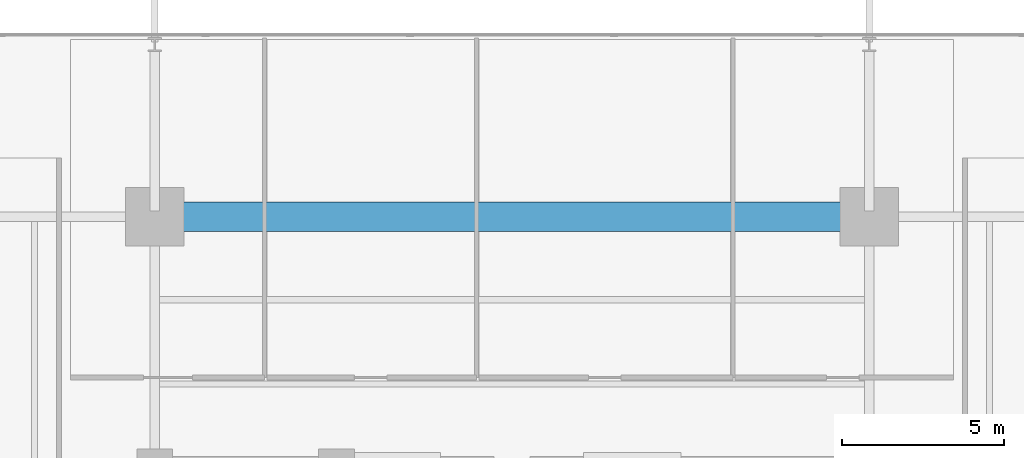
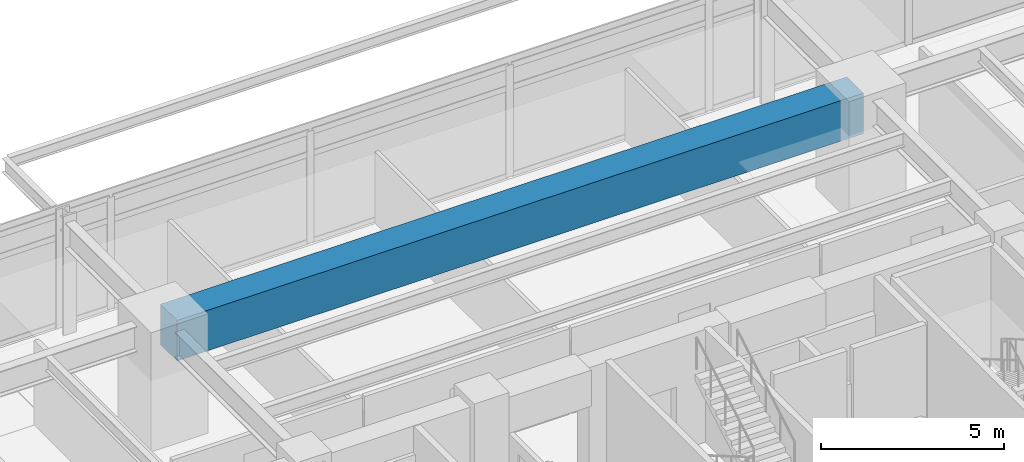
# One storey, part 8 of 22: 1 beam.
"""IFC4 building model written with IfcOpenShell, lengths in metres."""

from ifc_helpers import new_model, si_unit, direction, frame, origin, origin_2d, place, context, subcontext, project, spatial, rectangle, extrude, material, material_profile, profile_set, type_object, element, save


model = new_model("IFC4")

# Units and contexts
model_context = context("Model", 3, precision=1e-05, world=origin(), true_north=direction((0.0, 1.0)))
body_context = subcontext(model_context, "Body", "Model", "MODEL_VIEW")
ifc_project = project(units=[si_unit("LENGTHUNIT", "METRE"), si_unit("AREAUNIT", "SQUARE_METRE"), si_unit("VOLUMEUNIT", "CUBIC_METRE"), si_unit("PLANEANGLEUNIT", "RADIAN"), si_unit("MASSUNIT", "GRAM", prefix="KILO")], contexts=[model_context])

# Site, building, storey
site_placement = place(None, origin())
site = spatial("IfcSite", under=ifc_project, at=site_placement, CompositionType="ELEMENT")
building_placement = place(site_placement, origin())
building = spatial("IfcBuilding", under=site, at=building_placement, Name="Kovane Verandah Tower", CompositionType="ELEMENT")
storey_placement = place(building_placement, frame((0.0, 0.0, 59.60009765625)))
storey = spatial("IfcBuildingStorey", under=building, at=storey_placement, Name="L13", CompositionType="ELEMENT", Elevation=59.60009765625)

# Beam
ifc_material = material(Name="Concrete C80/95", Category="concrete")
ifc_material_profile = material_profile(ifc_material, rectangle(XDim=0.89990234375, YDim=1.35009765625, at=origin_2d()), Name="RCB900x1350")
ifc_profile_set = profile_set([ifc_material_profile], Name="Concrete C80/95")
beam_type = type_object("IfcBeamType", Name="BM-TR-900x1350", PredefinedType="BEAM", material=ifc_profile_set)
beam_placement = place(storey_placement, frame((29.179931640625, 44.199951171875, 3.0849609375), z_axis=(1.0, 0.0, 0.0), x_axis=(0.0, 1.0, 0.0)))
element("IfcBeam", 1, at=beam_placement, inside=storey, type_object=beam_type, Name="L13 Primary Tower Girder G-RN2", PredefinedType="BEAM", context=body_context, shape_type="SweptSolid", body=[
    extrude(rectangle(XDim=0.89990234375, YDim=1.35009765625, at=origin_2d()), origin(), (0.0, 0.0, 1.0), 21.64013671875),
])

save(model, "model.ifc")
